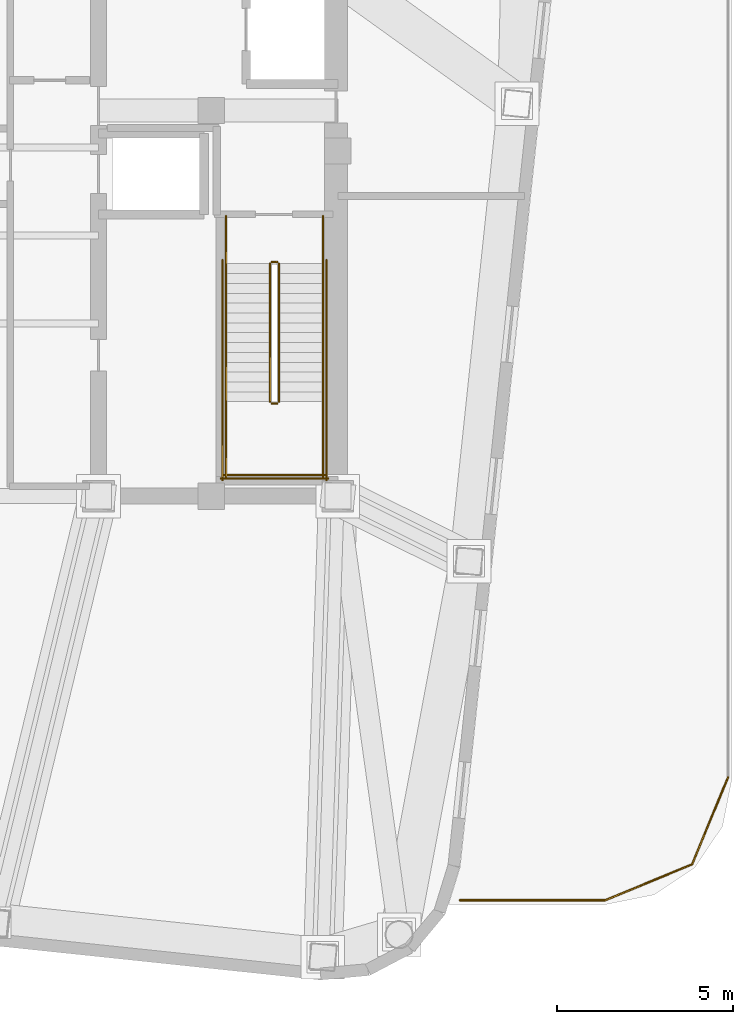
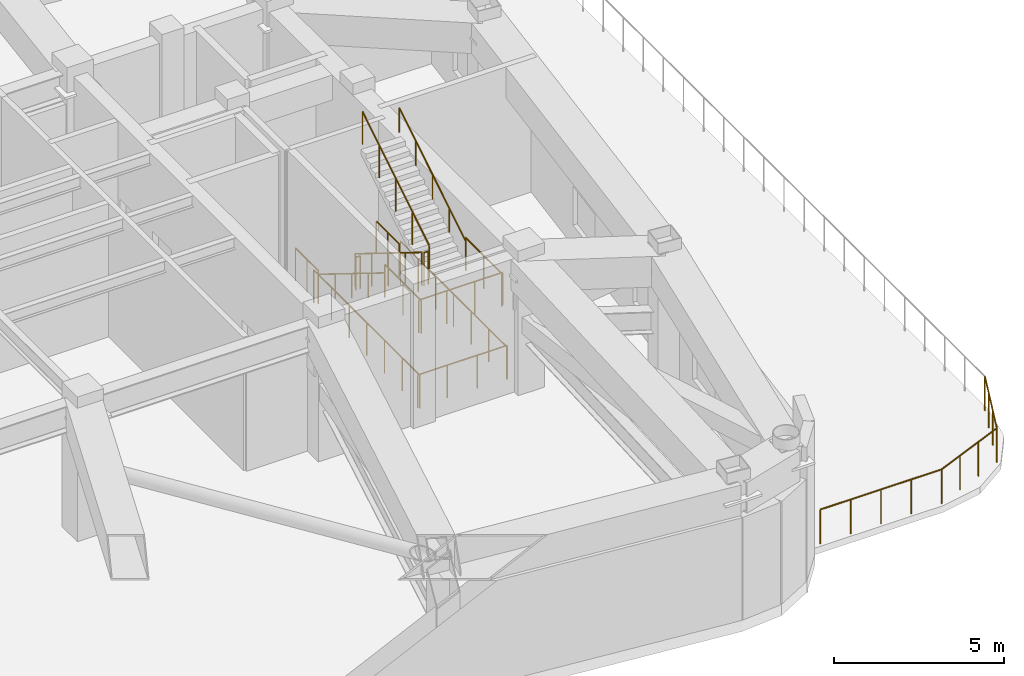
# One storey, part 8 of 9: 17 railings.
"""IFC4 building model written with IfcOpenShell, lengths in metres."""

import ifcopenshell
import ifcopenshell.guid

model = None  # the IFC model being written
_history = None  # IfcOwnerHistory: only IFC2X3 demands one
_inside = {}  # id of a spatial element -> (the spatial element, [elements in it])
_under = {}  # id of a project, library or spatial element -> (it, [spatial elements below it])
_declared = {}  # id of a project -> (the project, [libraries it declares])
_typed = {}  # id of a type object -> (the type object, [elements of that type])
_made_of = {}  # id of a material, layer set ... -> (it, [elements and type objects made of it])


def new_model(schema):
    """Start an empty IFC model of exactly this schema.

    Asked for "IFC4X3", IfcOpenShell would pick the latest addendum, in which some entities
    have other attributes; the version numbers below select the first issue.
    IFC2X3 requires an IfcOwnerHistory on every rooted entity: one is made here for all.
    """
    global model, _history
    if schema == "IFC4X3":
        model = ifcopenshell.file(schema_version=(4, 3, 0, 0))
    else:
        model = ifcopenshell.file(schema=schema)
    _inside.clear()
    _under.clear()
    _declared.clear()
    _typed.clear()
    _made_of.clear()
    _history = None
    if model.schema == "IFC2X3":
        org = make("IfcOrganization", Name="unknown")
        user = make(
            "IfcPersonAndOrganization",
            ThePerson=make("IfcPerson", FamilyName="unknown"),
            TheOrganization=org,
        )
        app = make(
            "IfcApplication",
            ApplicationDeveloper=org,
            Version="unknown",
            ApplicationFullName="unknown",
            ApplicationIdentifier="unknown",
        )
        _history = make(
            "IfcOwnerHistory",
            OwningUser=user,
            OwningApplication=app,
            ChangeAction="ADDED",
            CreationDate=0,
        )
    return model


def make(cls, **values):
    """One entity of the class cls with the attributes given. An attribute that is None is left unset."""
    return model.create_entity(
        cls, **{name: value for name, value in values.items() if value is not None}
    )


def rooted(cls, **values):
    """An entity with a GlobalId (a new one), such as an element, a storey or a relation."""
    return make(cls, GlobalId=ifcopenshell.guid.new(), OwnerHistory=_history, **values)


def si_unit(unit_type, name, prefix=None):
    """IfcSIUnit, for example si_unit("LENGTHUNIT", "METRE", prefix="MILLI")."""
    return make("IfcSIUnit", UnitType=unit_type, Prefix=prefix, Name=name)


def assignment(units):
    """IfcUnitAssignment: the units of a project."""
    return None if units is None else make("IfcUnitAssignment", Units=units)


def point(xyz):
    """IfcCartesianPoint."""
    return None if xyz is None else make("IfcCartesianPoint", Coordinates=xyz)


def direction(xyz):
    """IfcDirection."""
    return None if xyz is None else make("IfcDirection", DirectionRatios=xyz)


def frame(location, z_axis=None, x_axis=None):
    """IfcAxis2Placement3D, a coordinate frame: its origin and axes. An axis left out is left unset."""
    return make(
        "IfcAxis2Placement3D",
        Location=point(location),
        Axis=direction(z_axis),
        RefDirection=direction(x_axis),
    )


def frame_2d(location, x_axis=None):
    """IfcAxis2Placement2D, a coordinate frame in the plane: its origin and x axis."""
    return make(
        "IfcAxis2Placement2D", Location=point(location), RefDirection=direction(x_axis)
    )


def origin():
    """The frame at (0, 0, 0) with its axes left unset."""
    return frame((0.0, 0.0, 0.0))


def origin_2d():
    """The frame at (0, 0) in the plane with its x axis left unset."""
    return frame_2d((0.0, 0.0))


def place(relative_to, where):
    """IfcLocalPlacement: puts the frame where relative to a parent placement (None: the world)."""
    return make(
        "IfcLocalPlacement", PlacementRelTo=relative_to, RelativePlacement=where
    )


def context(
    kind, dimensions, precision=None, world=None, true_north=None, identifier=None
):
    """IfcGeometricRepresentationContext, for example the 3D "Model" context."""
    return make(
        "IfcGeometricRepresentationContext",
        ContextIdentifier=identifier,
        ContextType=kind,
        CoordinateSpaceDimension=dimensions,
        Precision=precision,
        WorldCoordinateSystem=world,
        TrueNorth=true_north,
    )


def subcontext(parent, identifier, kind, view, scale=None):
    """IfcGeometricRepresentationSubContext, for example "Body" below "Model"."""
    return make(
        "IfcGeometricRepresentationSubContext",
        ContextIdentifier=identifier,
        ContextType=kind,
        ParentContext=parent,
        TargetScale=scale,
        TargetView=view,
    )


def project(units=None, contexts=None):
    """IfcProject with its units and contexts."""
    return rooted(
        "IfcProject",
        Name="project",
        RepresentationContexts=contexts,
        UnitsInContext=assignment(units),
    )


def spatial(cls, under=None, at=None, **own):
    """A site, building, storey or space (cls), placed at a placement, below another one or the project."""
    s = rooted(cls, ObjectPlacement=at, **own)
    if under is not None:
        _under.setdefault(under.id(), (under, []))[1].append(s)
    return s


def profile(cls, at=None, kind="AREA", **sizes):
    """A parametric profile (cls). Its sizes go by their IFC names, for example OverallWidth=200.0."""
    return make(cls, ProfileType=kind, Position=at, **sizes)


def circle(**sizes):
    """IfcCircleProfileDef."""
    return profile("IfcCircleProfileDef", **sizes)


def extrude(swept, where, along, depth):
    """IfcExtrudedAreaSolid: the profile swept, set in the frame where, extruded along a direction by depth."""
    return make(
        "IfcExtrudedAreaSolid",
        SweptArea=swept,
        Position=where,
        ExtrudedDirection=direction(along),
        Depth=depth,
    )


def shape(context_of_items, identifier, shape_type, items):
    """IfcShapeRepresentation: the items that make up one representation, for example the "Body"."""
    return make(
        "IfcShapeRepresentation",
        ContextOfItems=context_of_items,
        RepresentationIdentifier=identifier,
        RepresentationType=shape_type,
        Items=items,
    )


def material(Name=None, Category=None):
    """IfcMaterial."""
    return make("IfcMaterial", Name=Name, Category=Category)


def made_of(thing, what):
    """Note that an element or type object is made of a material, layer set ...; save() writes the relation."""
    if what is not None:
        _made_of.setdefault(what.id(), (what, []))[1].append(thing)
    return thing


def type_object(cls, material=None, **own):
    """A type object (cls), such as IfcWallType, which elements share."""
    return made_of(rooted(cls, **own), material)


def element(
    cls,
    number,
    at=None,
    inside=None,
    cuts=None,
    type_object=None,
    material=None,
    context=None,
    identifier="Body",
    shape_type=None,
    held_by="IfcProductDefinitionShape",
    body=None,
    shapes=None,
    **own,
):
    """One element of the class cls, such as IfcWall. Its Tag is "e" and its number.

    at: its placement. inside: the storey or other place that contains it. cuts: it is an
    opening in that element (IfcRelVoidsElement). A single representation is given by context,
    identifier, shape_type and body (its items); several are given by shapes. held_by: the class
    of the entity that holds the representations. save() writes the other relations.
    """
    e = rooted(cls, Tag="e%d" % number, ObjectPlacement=at, **own)
    if body is not None:
        shapes = [shape(context, identifier, shape_type, body)]
    if shapes is not None:
        e.Representation = make(held_by, Representations=shapes)
    if inside is not None:
        _inside.setdefault(inside.id(), (inside, []))[1].append(e)
    if cuts is not None:
        rooted(
            "IfcRelVoidsElement", RelatingBuildingElement=cuts, RelatedOpeningElement=e
        )
    if type_object is not None:
        _typed.setdefault(type_object.id(), (type_object, []))[1].append(e)
    return made_of(e, material)


def aggregate(whole, parts):
    """IfcRelAggregates: a whole, such as a stair, and the parts it consists of."""
    return rooted("IfcRelAggregates", RelatingObject=whole, RelatedObjects=parts)


def save(model, path):
    """Write the relations noted so far, then the file.

    IfcRelAggregates (storeys below a building ...), IfcRelContainedInSpatialStructure (elements
    in a storey), IfcRelDefinesByType, IfcRelAssociatesMaterial and IfcRelDeclares: one each for
    every whole, place, type object, material and project.
    """
    for whole, parts in _under.values():
        aggregate(whole, parts)
    for where, things in _inside.values():
        rooted(
            "IfcRelContainedInSpatialStructure",
            RelatedElements=things,
            RelatingStructure=where,
        )
    for kind, things in _typed.values():
        rooted("IfcRelDefinesByType", RelatedObjects=things, RelatingType=kind)
    for what, things in _made_of.values():
        rooted("IfcRelAssociatesMaterial", RelatedObjects=things, RelatingMaterial=what)
    for by, libraries in _declared.values():
        rooted("IfcRelDeclares", RelatingContext=by, RelatedDefinitions=libraries)
    model.write(path)


model = new_model("IFC4")

# Units and contexts
model_context = context("Model", 3, precision=1e-05, world=origin(), true_north=direction((0.0, 1.0)))
body_context = subcontext(model_context, "Body", "Model", "MODEL_VIEW")
ifc_project = project(units=[si_unit("LENGTHUNIT", "METRE"), si_unit("AREAUNIT", "SQUARE_METRE"), si_unit("VOLUMEUNIT", "CUBIC_METRE"), si_unit("PLANEANGLEUNIT", "RADIAN"), si_unit("MASSUNIT", "GRAM", prefix="KILO")], contexts=[model_context])

# Site, building, storey
site_placement = place(None, origin())
site = spatial("IfcSite", under=ifc_project, at=site_placement, CompositionType="ELEMENT")
building_placement = place(site_placement, origin())
building = spatial("IfcBuilding", under=site, at=building_placement, Name="Voryun Gate Residences", CompositionType="ELEMENT")
storey_placement = place(building_placement, frame((0.0, 0.0, 254.800048828125)))
storey = spatial("IfcBuildingStorey", under=building, at=storey_placement, Name="L63", CompositionType="ELEMENT", Elevation=254.800048828125)

# Railings
ifc_material_1 = material(Name="Painted steel", Category="steel")
railing_type_1 = type_object("IfcRailingType", Name="RAIL_STAIR_GUARD_1200", PredefinedType="GUARDRAIL", material=ifc_material_1)
railing_1_placement = place(storey_placement, frame((17.27490234375, -0.800048828125, 0.17333984375)))
element("IfcRailing", 1, at=railing_1_placement, inside=storey, type_object=railing_type_1, Name="L63 ST-E1 stair guard 1", PredefinedType="GUARDRAIL", context=body_context, shape_type="SweptSolid", body=[
    extrude(circle(Radius=0.02392578125, at=origin_2d()), frame((0.0, 0.0, 1.17578125), z_axis=(0.0, -0.850275303828, 0.526338206574), x_axis=(1.0, 0.0, 0.0)), (0.0, 0.0, 1.0), 4.610107421875),
    extrude(circle(Radius=0.02099609375, at=origin_2d()), origin(), (0.0, 0.0, 1.0), 1.15185546875),
    extrude(circle(Radius=0.02099609375, at=origin_2d()), frame((0.0, -0.97998046875, 0.606689453125)), (0.0, 0.0, 1.0), 1.15185546875),
    extrude(circle(Radius=0.02099609375, at=origin_2d()), frame((0.0, -1.9599609375, 1.21337890625)), (0.0, 0.0, 1.0), 1.15185546875),
    extrude(circle(Radius=0.02099609375, at=origin_2d()), frame((0.0, -2.93994140625, 1.81982421875)), (0.0, 0.0, 1.0), 1.15185546875),
    extrude(circle(Radius=0.02099609375, at=origin_2d()), frame((0.0, -3.919921875, 2.426513671875)), (0.0, 0.0, 1.0), 1.15185546875),
])
railing_2_placement = place(storey_placement, frame((17.324951171875, -4.77001953125, 2.599853515625)))
element("IfcRailing", 2, at=railing_2_placement, inside=storey, type_object=railing_type_1, Name="L63 ST-E1 stair guard 2", PredefinedType="GUARDRAIL", context=body_context, shape_type="SweptSolid", body=[
    extrude(circle(Radius=0.02392578125, at=origin_2d()), frame((0.0, 0.0, 1.17578125), z_axis=(1.0, 0.0, 0.0), x_axis=(0.0, 1.0, 0.0)), (0.0, 0.0, 1.0), 0.150146484375),
    extrude(circle(Radius=0.02099609375, at=origin_2d()), origin(), (0.0, 0.0, 1.0), 1.15185546875),
    extrude(circle(Radius=0.02099609375, at=origin_2d()), frame((0.150146484375, 0.0, 0.0)), (0.0, 0.0, 1.0), 1.15185546875),
])
for number, where, name in (
    (3, (16.02490234375, -4.719970703125, 2.599853515625), "L63 ST-E1 stair guard 3"),
    (4, (18.77490234375, -4.719970703125, 2.599853515625), "L63 ST-E1 stair guard 4"),
):
    element("IfcRailing", number, at=place(storey_placement, frame(where)), inside=storey, type_object=railing_type_1, Name=name, PredefinedType="GUARDRAIL", context=body_context, shape_type="SweptSolid", body=[
        extrude(circle(Radius=0.02392578125, at=origin_2d()), frame((0.0, 0.0, 1.17578125), z_axis=(0.0, -1.0, 0.0), x_axis=(1.0, 0.0, 0.0)), (0.0, 0.0, 1.0), 2.130126953125),
        extrude(circle(Radius=0.02099609375, at=origin_2d()), origin(), (0.0, 0.0, 1.0), 1.15185546875),
        extrude(circle(Radius=0.02099609375, at=origin_2d()), frame((0.0, -1.06494140625, 0.0)), (0.0, 0.0, 1.0), 1.15185546875),
        extrude(circle(Radius=0.02099609375, at=origin_2d()), frame((0.0, -2.130126953125, 0.0)), (0.0, 0.0, 1.0), 1.15185546875),
    ])
railing_3_placement = place(storey_placement, frame((15.97509765625, -6.800048828125, 2.599853515625)))
element("IfcRailing", 5, at=railing_3_placement, inside=storey, type_object=railing_type_1, Name="L63 ST-E1 stair guard 5", PredefinedType="GUARDRAIL", context=body_context, shape_type="SweptSolid", body=[
    extrude(circle(Radius=0.02392578125, at=origin_2d()), frame((0.0, 0.0, 1.17578125), z_axis=(1.0, 0.0, 0.0), x_axis=(0.0, 1.0, 0.0)), (0.0, 0.0, 1.0), 2.849853515625),
    extrude(circle(Radius=0.02099609375, at=origin_2d()), origin(), (0.0, 0.0, 1.0), 1.15185546875),
    extrude(circle(Radius=0.02099609375, at=origin_2d()), frame((0.949951171875, 0.0, 0.0)), (0.0, 0.0, 1.0), 1.15185546875),
    extrude(circle(Radius=0.02099609375, at=origin_2d()), frame((1.89990234375, 0.0, 0.0)), (0.0, 0.0, 1.0), 1.15185546875),
    extrude(circle(Radius=0.02099609375, at=origin_2d()), frame((2.849853515625, 0.0, 0.0)), (0.0, 0.0, 1.0), 1.15185546875),
])
railing_4_placement = place(storey_placement, frame((17.52490234375, -4.719970703125, 2.773193359375)))
element("IfcRailing", 6, at=railing_4_placement, inside=storey, type_object=railing_type_1, Name="L63 ST-E1 stair guard 6", PredefinedType="GUARDRAIL", context=body_context, shape_type="SweptSolid", body=[
    extrude(circle(Radius=0.02392578125, at=origin_2d()), frame((0.0, 0.0, 1.17578125), z_axis=(0.0, 0.850251603719, 0.526376491091), x_axis=(-1.0, 0.0, 0.0)), (0.0, 0.0, 1.0), 4.6103515625),
    extrude(circle(Radius=0.02099609375, at=origin_2d()), origin(), (0.0, 0.0, 1.0), 1.15185546875),
    extrude(circle(Radius=0.02099609375, at=origin_2d()), frame((0.0, 0.97998046875, 0.606689453125)), (0.0, 0.0, 1.0), 1.15185546875),
    extrude(circle(Radius=0.02099609375, at=origin_2d()), frame((0.0, 1.9599609375, 1.21337890625)), (0.0, 0.0, 1.0), 1.15185546875),
    extrude(circle(Radius=0.02099609375, at=origin_2d()), frame((0.0, 2.93994140625, 1.820068359375)), (0.0, 0.0, 1.0), 1.15185546875),
    extrude(circle(Radius=0.02099609375, at=origin_2d()), frame((0.0, 3.919921875, 2.4267578125)), (0.0, 0.0, 1.0), 1.15185546875),
])
railing_5_placement = place(storey_placement, frame((17.324951171875, -0.75, 0.0)))
element("IfcRailing", 7, at=railing_5_placement, inside=storey, type_object=railing_type_1, Name="L63 ST-E1 stair guard 7", PredefinedType="GUARDRAIL", context=body_context, shape_type="SweptSolid", body=[
    extrude(circle(Radius=0.02392578125, at=origin_2d()), frame((0.0, 0.0, 1.17578125), z_axis=(1.0, 0.0, 0.0), x_axis=(0.0, 1.0, 0.0)), (0.0, 0.0, 1.0), 0.150146484375),
    extrude(circle(Radius=0.02099609375, at=origin_2d()), origin(), (0.0, 0.0, 1.0), 1.15185546875),
    extrude(circle(Radius=0.02099609375, at=origin_2d()), frame((0.150146484375, 0.0, 0.0)), (0.0, 0.0, 1.0), 1.15185546875),
])
for number, where, name in (
    (8, (16.02490234375, 0.550048828125, 0.0), "L63 ST-E1 stair guard 8"),
    (9, (18.77490234375, 0.550048828125, 0.0), "L63 ST-E1 stair guard 9"),
):
    element("IfcRailing", number, at=place(storey_placement, frame(where)), inside=storey, type_object=railing_type_1, Name=name, PredefinedType="GUARDRAIL", context=body_context, shape_type="SweptSolid", body=[
        extrude(circle(Radius=0.02392578125, at=origin_2d()), frame((0.0, 0.0, 1.17578125), z_axis=(0.0, -1.0, 0.0), x_axis=(1.0, 0.0, 0.0)), (0.0, 0.0, 1.0), 1.35009765625),
        extrude(circle(Radius=0.02099609375, at=origin_2d()), origin(), (0.0, 0.0, 1.0), 1.15185546875),
        extrude(circle(Radius=0.02099609375, at=origin_2d()), frame((0.0, -0.675048828125, 0.0)), (0.0, 0.0, 1.0), 1.15185546875),
        extrude(circle(Radius=0.02099609375, at=origin_2d()), frame((0.0, -1.35009765625, 0.0)), (0.0, 0.0, 1.0), 1.15185546875),
    ])
for number, where, name in (
    (10, (15.925048828125, -0.699951171875, 0.0), "L63 ST-E1 stair guard 10"),
    (11, (18.875, -0.699951171875, 0.0), "L63 ST-E1 stair guard 11"),
):
    element("IfcRailing", number, at=place(storey_placement, frame(where)), inside=storey, type_object=railing_type_1, Name=name, PredefinedType="GUARDRAIL", context=body_context, shape_type="SweptSolid", body=[
        extrude(circle(Radius=0.02392578125, at=origin_2d()), frame((0.0, 0.0, 1.17578125), z_axis=(0.0, -1.0, 0.0), x_axis=(1.0, 0.0, 0.0)), (0.0, 0.0, 1.0), 6.25),
        extrude(circle(Radius=0.02099609375, at=origin_2d()), origin(), (0.0, 0.0, 1.0), 1.15185546875),
        extrude(circle(Radius=0.02099609375, at=origin_2d()), frame((0.0, -1.041748046875, 0.0)), (0.0, 0.0, 1.0), 1.15185546875),
        extrude(circle(Radius=0.02099609375, at=origin_2d()), frame((0.0, -2.083251953125, 0.0)), (0.0, 0.0, 1.0), 1.15185546875),
        extrude(circle(Radius=0.02099609375, at=origin_2d()), frame((0.0, -3.125, 0.0)), (0.0, 0.0, 1.0), 1.15185546875),
        extrude(circle(Radius=0.02099609375, at=origin_2d()), frame((0.0, -4.166748046875, 0.0)), (0.0, 0.0, 1.0), 1.15185546875),
        extrude(circle(Radius=0.02099609375, at=origin_2d()), frame((0.0, -5.208251953125, 0.0)), (0.0, 0.0, 1.0), 1.15185546875),
        extrude(circle(Radius=0.02099609375, at=origin_2d()), frame((0.0, -6.25, 0.0)), (0.0, 0.0, 1.0), 1.15185546875),
    ])
railing_6_placement = place(storey_placement, frame((15.875, -6.89990234375, 0.0)))
element("IfcRailing", 12, at=railing_6_placement, inside=storey, type_object=railing_type_1, Name="L63 ST-E1 stair guard 12", PredefinedType="GUARDRAIL", context=body_context, shape_type="SweptSolid", body=[
    extrude(circle(Radius=0.02392578125, at=origin_2d()), frame((0.0, 0.0, 1.17578125), z_axis=(1.0, 0.0, 0.0), x_axis=(0.0, 1.0, 0.0)), (0.0, 0.0, 1.0), 3.050048828125),
    extrude(circle(Radius=0.02099609375, at=origin_2d()), origin(), (0.0, 0.0, 1.0), 1.15185546875),
    extrude(circle(Radius=0.02099609375, at=origin_2d()), frame((1.0166015625, 0.0, 0.0)), (0.0, 0.0, 1.0), 1.15185546875),
    extrude(circle(Radius=0.02099609375, at=origin_2d()), frame((2.033447265625, 0.0, 0.0)), (0.0, 0.0, 1.0), 1.15185546875),
    extrude(circle(Radius=0.02099609375, at=origin_2d()), frame((3.050048828125, 0.0, 0.0)), (0.0, 0.0, 1.0), 1.15185546875),
])
ifc_material_2 = material(Name="Painted steel", Category="steel")
railing_type_2 = type_object("IfcRailingType", Name="RAIL_STAIR_HANDRAIL_900", PredefinedType="HANDRAIL", material=ifc_material_2)
railing_7_placement = place(storey_placement, frame((16.02490234375, -0.800048828125, 0.17333984375)))
element("IfcRailing", 13, at=railing_7_placement, inside=storey, type_object=railing_type_2, Name="L63 ST-E1 stair handrail 1", PredefinedType="HANDRAIL", context=body_context, shape_type="SweptSolid", body=[
    extrude(circle(Radius=0.02392578125, at=origin_2d()), frame((0.0, 0.0, 0.8759765625), z_axis=(0.0, -0.850275303828, 0.526338206574), x_axis=(1.0, 0.0, 0.0)), (0.0, 0.0, 1.0), 4.610107421875),
    extrude(circle(Radius=0.02099609375, at=origin_2d()), origin(), (0.0, 0.0, 1.0), 0.851806640625),
    extrude(circle(Radius=0.02099609375, at=origin_2d()), frame((0.0, -0.97998046875, 0.606689453125)), (0.0, 0.0, 1.0), 0.851806640625),
    extrude(circle(Radius=0.02099609375, at=origin_2d()), frame((0.0, -1.9599609375, 1.21337890625)), (0.0, 0.0, 1.0), 0.851806640625),
    extrude(circle(Radius=0.02099609375, at=origin_2d()), frame((0.0, -2.93994140625, 1.81982421875)), (0.0, 0.0, 1.0), 0.851806640625),
    extrude(circle(Radius=0.02099609375, at=origin_2d()), frame((0.0, -3.919921875, 2.426513671875)), (0.0, 0.0, 1.0), 0.851806640625),
])
railing_8_placement = place(storey_placement, frame((18.77490234375, -4.719970703125, 2.773193359375)))
element("IfcRailing", 14, at=railing_8_placement, inside=storey, type_object=railing_type_2, Name="L63 ST-E1 stair handrail 2", PredefinedType="HANDRAIL", context=body_context, shape_type="SweptSolid", body=[
    extrude(circle(Radius=0.02392578125, at=origin_2d()), frame((0.0, 0.0, 0.8759765625), z_axis=(0.0, 0.850251603719, 0.526376491091), x_axis=(-1.0, 0.0, 0.0)), (0.0, 0.0, 1.0), 4.6103515625),
    extrude(circle(Radius=0.02099609375, at=origin_2d()), origin(), (0.0, 0.0, 1.0), 0.851806640625),
    extrude(circle(Radius=0.02099609375, at=origin_2d()), frame((0.0, 0.97998046875, 0.606689453125)), (0.0, 0.0, 1.0), 0.851806640625),
    extrude(circle(Radius=0.02099609375, at=origin_2d()), frame((0.0, 1.9599609375, 1.21337890625)), (0.0, 0.0, 1.0), 0.851806640625),
    extrude(circle(Radius=0.02099609375, at=origin_2d()), frame((0.0, 2.93994140625, 1.820068359375)), (0.0, 0.0, 1.0), 0.851806640625),
    extrude(circle(Radius=0.02099609375, at=origin_2d()), frame((0.0, 3.919921875, 2.4267578125)), (0.0, 0.0, 1.0), 0.851806640625),
])
ifc_material_3 = material(Name="Anodised aluminium", Category="aluminium")
railing_type_3 = type_object("IfcRailingType", Name="RAIL_TERRACE_GUARD_1250", PredefinedType="GUARDRAIL", material=ifc_material_3)
railing_9_placement = place(storey_placement, frame((30.280029296875, -15.38818359375, 0.0)))
element("IfcRailing", 15, at=railing_9_placement, inside=storey, type_object=railing_type_3, Name="Terrace guard RL-L63-P1L1-04", PredefinedType="GUARDRAIL", context=body_context, shape_type="SweptSolid", body=[
    extrude(circle(Radius=0.02392578125, at=origin_2d()), frame((0.0, 0.0, 1.22607421875), z_axis=(-0.381883945697, -0.924210285605, 0.0), x_axis=(0.924210285605, -0.381883945697, 0.0)), (0.0, 0.0, 1.0), 2.673583984375),
    extrude(circle(Radius=0.02099609375, at=origin_2d()), origin(), (0.0, 0.0, 1.0), 1.201904296875),
    extrude(circle(Radius=0.02099609375, at=origin_2d()), frame((-0.34033203125, -0.82373046875, 0.0)), (0.0, 0.0, 1.0), 1.201904296875),
    extrude(circle(Radius=0.02099609375, at=origin_2d()), frame((-0.6806640625, -1.647216796875, 0.0)), (0.0, 0.0, 1.0), 1.201904296875),
    extrude(circle(Radius=0.02099609375, at=origin_2d()), frame((-1.02099609375, -2.470947265625, 0.0)), (0.0, 0.0, 1.0), 1.201904296875),
])
railing_10_placement = place(storey_placement, frame((29.259033203125, -17.859130859375, 0.0)))
element("IfcRailing", 16, at=railing_10_placement, inside=storey, type_object=railing_type_3, Name="Terrace guard RL-L63-P1L1-05", PredefinedType="GUARDRAIL", context=body_context, shape_type="SweptSolid", body=[
    extrude(circle(Radius=0.02392578125, at=origin_2d()), frame((0.0, 0.0, 1.22607421875), z_axis=(-0.924242512641, -0.381805942629, 0.0), x_axis=(0.381805942629, -0.924242512641, 0.0)), (0.0, 0.0, 1.0), 2.673583984375),
    extrude(circle(Radius=0.02099609375, at=origin_2d()), origin(), (0.0, 0.0, 1.0), 1.201904296875),
    extrude(circle(Radius=0.02099609375, at=origin_2d()), frame((-0.82373046875, -0.34033203125, 0.0)), (0.0, 0.0, 1.0), 1.201904296875),
    extrude(circle(Radius=0.02099609375, at=origin_2d()), frame((-1.647216796875, -0.680419921875, 0.0)), (0.0, 0.0, 1.0), 1.201904296875),
    extrude(circle(Radius=0.02099609375, at=origin_2d()), frame((-2.470947265625, -1.020751953125, 0.0)), (0.0, 0.0, 1.0), 1.201904296875),
])
railing_11_placement = place(storey_placement, frame((26.7880859375, -18.8798828125, 0.0)))
element("IfcRailing", 17, at=railing_11_placement, inside=storey, type_object=railing_type_3, Name="Terrace guard RL-L63-P1L1-06", PredefinedType="GUARDRAIL", context=body_context, shape_type="SweptSolid", body=[
    extrude(circle(Radius=0.02392578125, at=origin_2d()), frame((0.0, 0.0, 1.22607421875), z_axis=(-1.0, 0.0, 0.0), x_axis=(0.0, -1.0, 0.0)), (0.0, 0.0, 1.0), 4.123779296875),
    extrude(circle(Radius=0.02099609375, at=origin_2d()), origin(), (0.0, 0.0, 1.0), 1.201904296875),
    extrude(circle(Radius=0.02099609375, at=origin_2d()), frame((-1.031005859375, 0.0, 0.0)), (0.0, 0.0, 1.0), 1.201904296875),
    extrude(circle(Radius=0.02099609375, at=origin_2d()), frame((-2.06201171875, 0.0, 0.0)), (0.0, 0.0, 1.0), 1.201904296875),
    extrude(circle(Radius=0.02099609375, at=origin_2d()), frame((-3.0927734375, 0.0, 0.0)), (0.0, 0.0, 1.0), 1.201904296875),
    extrude(circle(Radius=0.02099609375, at=origin_2d()), frame((-4.123779296875, 0.0, 0.0)), (0.0, 0.0, 1.0), 1.201904296875),
])

save(model, "model.ifc")
